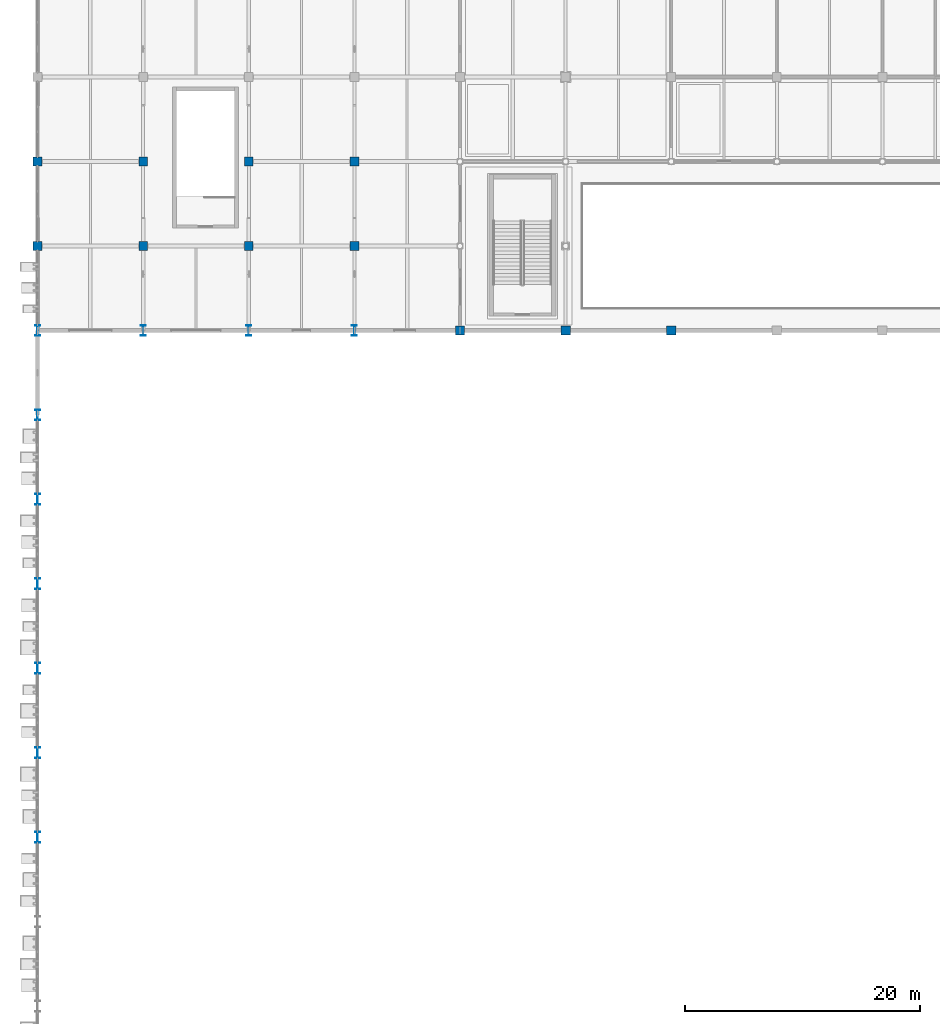
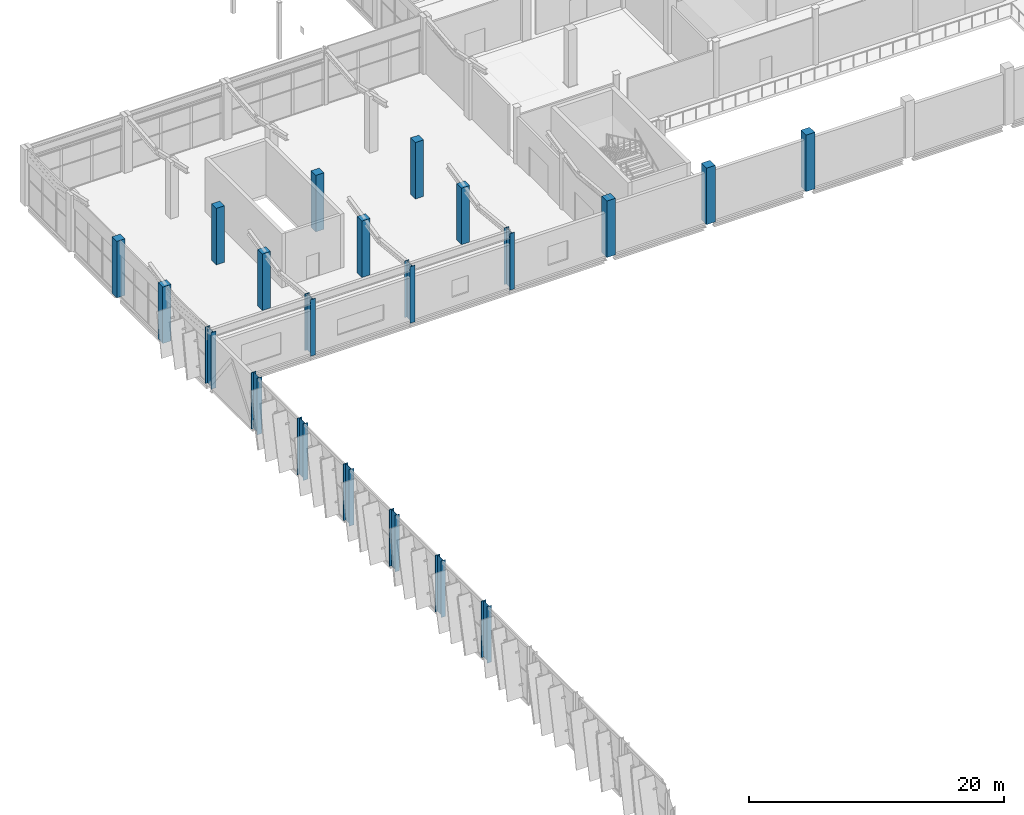
# One storey, part 3 of 189: 21 columns.
"""IFC4 building model written with IfcOpenShell, lengths in metres."""

from ifc_helpers import new_model, si_unit, direction, frame, origin, origin_2d, place, context, subcontext, project, spatial, rectangle, i_section, extrude, material, material_profile, profile_set, type_object, element, save


model = new_model("IFC4")

# Units and contexts
model_context = context("Model", 3, precision=1e-05, world=origin(), true_north=direction((0.0, 1.0)))
body_context = subcontext(model_context, "Body", "Model", "MODEL_VIEW")
ifc_project = project(units=[si_unit("LENGTHUNIT", "METRE"), si_unit("AREAUNIT", "SQUARE_METRE"), si_unit("VOLUMEUNIT", "CUBIC_METRE"), si_unit("PLANEANGLEUNIT", "RADIAN"), si_unit("MASSUNIT", "GRAM", prefix="KILO")], contexts=[model_context])

# Site, building, storey
site_placement = place(None, origin())
site = spatial("IfcSite", under=ifc_project, at=site_placement, CompositionType="ELEMENT")
building_placement = place(site_placement, origin())
building = spatial("IfcBuilding", under=site, at=building_placement, Name="Celestram Park Convention Centre", CompositionType="ELEMENT")
storey_placement = place(building_placement, frame((0.0, 0.0, 5.39990234375)))
storey = spatial("IfcBuildingStorey", under=building, at=storey_placement, Name="L01", CompositionType="ELEMENT", Elevation=5.39990234375)

# Columns
ifc_material_1 = material(Name="Concrete C40/50", Category="concrete")
ifc_material_profile_1 = material_profile(ifc_material_1, rectangle(XDim=0.75, YDim=0.75, at=origin_2d()), Name="RC750X750")
ifc_profile_set_1 = profile_set([ifc_material_profile_1], Name="Concrete C40/50")
column_type_1 = type_object("IfcColumnType", Name="STR-COL-RC750", PredefinedType="COLUMN", material=ifc_profile_set_1)
for number, where, z_axis, x_axis, name in (
    (1, (0.0, 115.199951171875, 0.0), (0.0, 0.0, 1.0), (1.0, 0.0, 0.0), "Column CN-L01-014"),
    (2, (0.0, 122.39990234375, 0.0), (0.0, 0.0, 1.0), (1.0, 0.0, 0.0), "Column CN-L01-015"),
    (3, (9.0, 115.199951171875, 0.0), (0.0, 0.0, 1.0), (1.0, 0.0, 0.0), "Column CN-L01-020"),
    (4, (9.0, 122.39990234375, 0.0), (0.0, 0.0, 1.0), (1.0, 0.0, 0.0), "Column CN-L01-021"),
    (5, (18.0, 115.199951171875, 0.0), (0.0, 0.0, 1.0), (1.0, 0.0, 0.0), "Column CN-L01-026"),
    (6, (18.0, 122.39990234375, 0.0), (0.0, 0.0, 1.0), (1.0, 0.0, 0.0), "Column CN-L01-027"),
    (7, (27.0, 115.199951171875, 0.0), (0.0, 0.0, 1.0), (1.0, 0.0, 0.0), "Column CN-L01-032"),
    (8, (27.0, 122.39990234375, 0.0), (0.0, 0.0, 1.0), (1.0, 0.0, 0.0), "Column CN-L01-033"),
):
    element("IfcColumn", number, at=place(storey_placement, frame(where, z_axis=z_axis, x_axis=x_axis)), inside=storey, type_object=column_type_1, Name=name, PredefinedType="COLUMN", context=body_context, shape_type="SweptSolid", body=[
        extrude(rectangle(XDim=0.75, YDim=0.75, at=origin_2d()), origin(), (0.0, 0.0, 1.0), 5.400146484375),
    ])
ifc_material_profile_2 = material_profile(ifc_material_1, rectangle(XDim=0.800048828125, YDim=0.800048828125, at=origin_2d()), Name="RC800X800")
ifc_profile_set_2 = profile_set([ifc_material_profile_2], Name="Concrete C40/50")
column_type_2 = type_object("IfcColumnType", Name="STR-COL-RC800", PredefinedType="COLUMN", material=ifc_profile_set_2)
for number, where, z_axis, x_axis, name in (
    (9, (36.0, 108.0, 0.0), (0.0, 0.0, 1.0), (1.0, 0.0, 0.0), "Column CN-L01-041"),
    (10, (45.0, 108.0, 0.0), (0.0, 0.0, 1.0), (1.0, 0.0, 0.0), "Column CN-L01-051"),
    (11, (54.0, 108.0, 0.0), (0.0, 0.0, 1.0), (1.0, 0.0, 0.0), "Column CN-L01-061"),
):
    element("IfcColumn", number, at=place(storey_placement, frame(where, z_axis=z_axis, x_axis=x_axis)), inside=storey, type_object=column_type_2, Name=name, PredefinedType="COLUMN", context=body_context, shape_type="SweptSolid", body=[
        extrude(rectangle(XDim=0.800048828125, YDim=0.800048828125, at=origin_2d()), origin(), (0.0, 0.0, 1.0), 5.400146484375),
    ])
ifc_material_2 = material(Name="Steel ASTM A992 Grade 50", Category="steel")
ifc_material_profile_3 = material_profile(ifc_material_2, i_section(OverallWidth=0.424072265625, OverallDepth=0.931884765625, WebThickness=0.02392578125, FlangeThickness=0.042724609375, at=origin_2d()), Name="W36X302")
ifc_profile_set_3 = profile_set([ifc_material_profile_3], Name="Steel ASTM A992 Grade 50")
column_type_3 = type_object("IfcColumnType", Name="STR-COL-W36X302", PredefinedType="COLUMN", material=ifc_profile_set_3)
for number, where, z_axis, x_axis, name in (
    (12, (0.0, 64.800048828125, 0.0), (0.0, 0.0, 1.0), (1.0, 0.0, 0.0), "Column CN-L01-007"),
    (13, (0.0, 72.0, 0.0), (0.0, 0.0, 1.0), (1.0, 0.0, 0.0), "Column CN-L01-008"),
    (14, (0.0, 79.199951171875, 0.0), (0.0, 0.0, 1.0), (1.0, 0.0, 0.0), "Column CN-L01-009"),
    (15, (0.0, 86.39990234375, 0.0), (0.0, 0.0, 1.0), (1.0, 0.0, 0.0), "Column CN-L01-010"),
    (16, (0.0, 93.60009765625, 0.0), (0.0, 0.0, 1.0), (1.0, 0.0, 0.0), "Column CN-L01-011"),
    (17, (0.0, 100.800048828125, 0.0), (0.0, 0.0, 1.0), (1.0, 0.0, 0.0), "Column CN-L01-012"),
    (18, (0.0, 108.0, 0.0), (0.0, 0.0, 1.0), (1.0, 0.0, 0.0), "Column CN-L01-013"),
    (19, (9.0, 108.0, 0.0), (0.0, 0.0, 1.0), (1.0, 0.0, 0.0), "Column CN-L01-019"),
    (20, (18.0, 108.0, 0.0), (0.0, 0.0, 1.0), (1.0, 0.0, 0.0), "Column CN-L01-025"),
    (21, (27.0, 108.0, 0.0), (0.0, 0.0, 1.0), (1.0, 0.0, 0.0), "Column CN-L01-031"),
):
    element("IfcColumn", number, at=place(storey_placement, frame(where, z_axis=z_axis, x_axis=x_axis)), inside=storey, type_object=column_type_3, Name=name, PredefinedType="COLUMN", context=body_context, shape_type="SweptSolid", body=[
        extrude(i_section(OverallWidth=0.424072265625, OverallDepth=0.931884765625, WebThickness=0.02392578125, FlangeThickness=0.042724609375, at=origin_2d()), origin(), (0.0, 0.0, 1.0), 5.400146484375),
    ])

save(model, "model.ifc")
